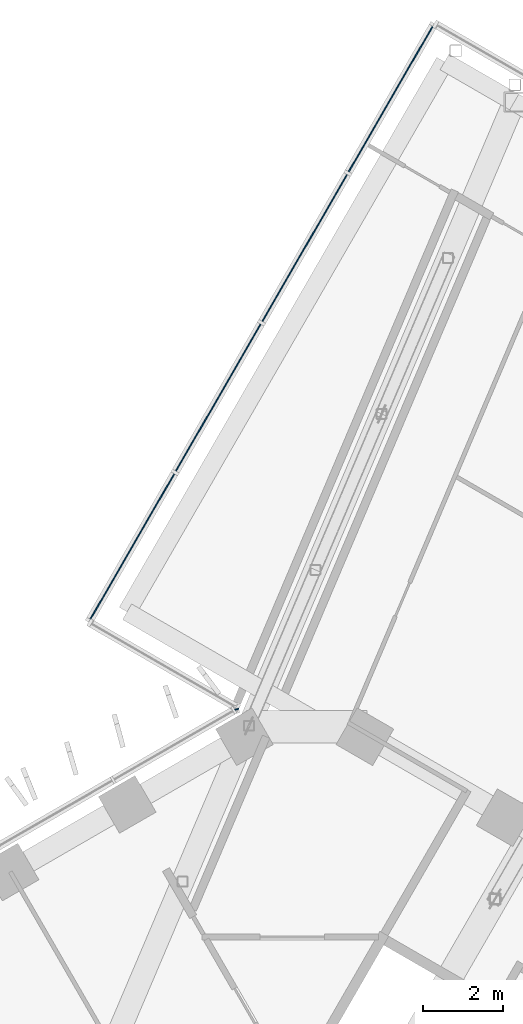
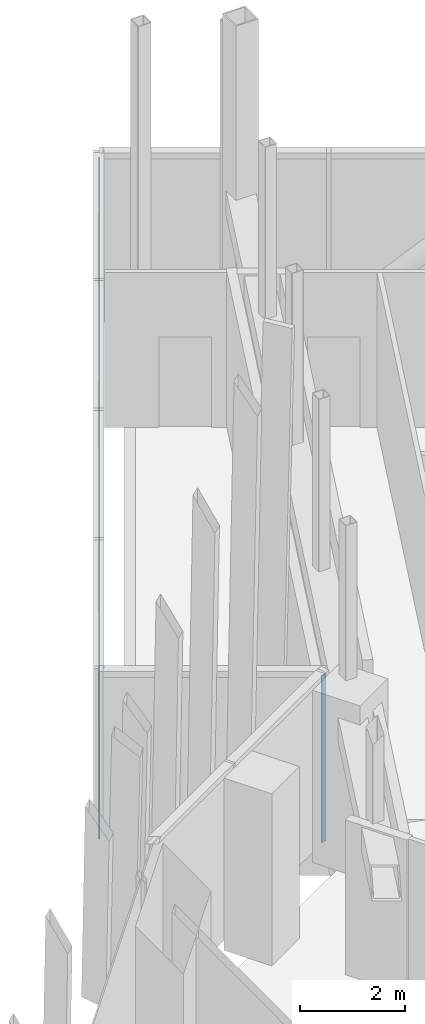
# One storey, part 18 of 31: 5 plates, 2 elements without a shape of their own.
"""IFC4 building model written with IfcOpenShell, lengths in metres."""

from ifc_helpers import new_model, si_unit, direction, frame, origin, origin_2d, place, context, subcontext, project, spatial, rectangle, extrude, material, layer, layer_set, type_object, element, aggregate, save


model = new_model("IFC4")

# Units and contexts
model_context = context("Model", 3, precision=1e-05, world=origin(), true_north=direction((0.0, 1.0)))
body_context = subcontext(model_context, "Body", "Model", "MODEL_VIEW")
ifc_project = project(units=[si_unit("LENGTHUNIT", "METRE"), si_unit("AREAUNIT", "SQUARE_METRE"), si_unit("VOLUMEUNIT", "CUBIC_METRE"), si_unit("PLANEANGLEUNIT", "RADIAN"), si_unit("MASSUNIT", "GRAM", prefix="KILO")], contexts=[model_context])

# Site, building, storey
site_placement = place(None, origin())
site = spatial("IfcSite", under=ifc_project, at=site_placement, CompositionType="ELEMENT")
building_placement = place(site_placement, origin())
building = spatial("IfcBuilding", under=site, at=building_placement, Name="Ayvan Gate Tower", CompositionType="ELEMENT")
storey_placement = place(building_placement, frame((0.0, 0.0, 135.89990234375)))
storey = spatial("IfcBuildingStorey", under=building, at=storey_placement, Name="L36", CompositionType="ELEMENT", Elevation=135.89990234375)

# Curtain wall, plates
ifc_material_1 = material(Name="Bronze anodised aluminium", Category="aluminium")
ifc_layer_1 = layer(ifc_material_1, 0.199951171875)
ifc_layer_set_1 = layer_set([ifc_layer_1], Name="Bronze anodised aluminium")
curtain_wall_type_1 = type_object("IfcCurtainWallType", Name="Stick curtain wall CW-4", PredefinedType="NOTDEFINED", material=ifc_layer_set_1)
curtain_wall_1_placement = place(storey_placement, origin())
curtain_wall_1 = element("IfcCurtainWall", 1, at=curtain_wall_1_placement, inside=storey, type_object=curtain_wall_type_1, Name="Stick curtain wall CW-4 L36", PredefinedType="NOTDEFINED")
ifc_material_2 = material(Name="Pale anodised aluminium composite panel", Category="aluminium")
ifc_layer_2 = layer(ifc_material_2, 0.028076171875)
ifc_layer_set_2 = layer_set([ifc_layer_2], Name="Pale anodised aluminium composite panel")
plate_type_1 = type_object("IfcPlateType", Name="Stick curtain wall CW-4 solid panel", PredefinedType="CURTAIN_PANEL", material=ifc_layer_set_2)
plate_1_placement = place(storey_placement, frame((1.19482421875, 36.969482421875, 0.0), z_axis=(0.0, 0.0, 1.0), x_axis=(-0.5, -0.866025403784, 0.0)))
plate_1 = element("IfcPlate", 2, at=plate_1_placement, type_object=plate_type_1, Name="CW-4 solid panel 1", PredefinedType="CURTAIN_PANEL", context=body_context, shape_type="SweptSolid", body=[
    extrude(rectangle(XDim=4.219970703125, YDim=0.028076171875, at=origin_2d()), origin(), (0.0, 0.0, 1.0), 3.860107421875),
])
plate_2_placement = place(storey_placement, frame((-0.955078125, 33.24560546875, 0.0), z_axis=(0.0, 0.0, 1.0), x_axis=(-0.5, -0.866025403784, 0.0)))
plate_2 = element("IfcPlate", 3, at=plate_2_placement, type_object=plate_type_1, Name="CW-4 solid panel 2", PredefinedType="CURTAIN_PANEL", context=body_context, shape_type="SweptSolid", body=[
    extrude(rectangle(XDim=4.219970703125, YDim=0.028076171875, at=origin_2d()), origin(), (0.0, 0.0, 1.0), 3.860107421875),
])
plate_3_placement = place(storey_placement, frame((-3.105224609375, 29.521728515625, 0.0), z_axis=(0.0, 0.0, 1.0), x_axis=(-0.5, -0.866025403784, 0.0)))
plate_3 = element("IfcPlate", 4, at=plate_3_placement, type_object=plate_type_1, Name="CW-4 solid panel 3", PredefinedType="CURTAIN_PANEL", context=body_context, shape_type="SweptSolid", body=[
    extrude(rectangle(XDim=4.219970703125, YDim=0.028076171875, at=origin_2d()), origin(), (0.0, 0.0, 1.0), 3.860107421875),
])
plate_4_placement = place(storey_placement, frame((-5.255126953125, 25.7978515625, 0.0), z_axis=(0.0, 0.0, 1.0), x_axis=(-0.5, -0.866025403784, 0.0)))
plate_4 = element("IfcPlate", 5, at=plate_4_placement, type_object=plate_type_1, Name="CW-4 solid panel 4", PredefinedType="CURTAIN_PANEL", context=body_context, shape_type="SweptSolid", body=[
    extrude(rectangle(XDim=4.219970703125, YDim=0.028076171875, at=origin_2d()), origin(), (0.0, 0.0, 1.0), 3.860107421875),
])
aggregate(curtain_wall_1, [plate_1, plate_2, plate_3, plate_4])

# Curtain wall, plate
ifc_layer_3 = layer(ifc_material_1, 0.199951171875)
ifc_layer_set_3 = layer_set([ifc_layer_3], Name="Bronze anodised aluminium")
curtain_wall_type_2 = type_object("IfcCurtainWallType", Name="Stick curtain wall CW-6", PredefinedType="NOTDEFINED", material=ifc_layer_set_3)
curtain_wall_2_placement = place(storey_placement, origin())
curtain_wall_2 = element("IfcCurtainWall", 6, at=curtain_wall_2_placement, inside=storey, type_object=curtain_wall_type_2, Name="Stick curtain wall CW-6 L36", PredefinedType="NOTDEFINED")
ifc_material_3 = material(Name="Clear low-iron laminated glass", Category="glass")
ifc_layer_4 = layer(ifc_material_3, 0.028076171875)
ifc_layer_set_4 = layer_set([ifc_layer_4], Name="Clear low-iron laminated glass")
plate_type_2 = type_object("IfcPlateType", Name="Stick curtain wall CW-6 glass panel", PredefinedType="CURTAIN_PANEL", material=ifc_layer_set_4)
plate_5_placement = place(storey_placement, frame((-2.643798828125, 21.76708984375, 0.000244140625), z_axis=(0.0, 0.0, 1.0), x_axis=(-0.965925826289, -0.258819045103, 0.0)))
plate_5 = element("IfcPlate", 7, at=plate_5_placement, type_object=plate_type_2, Name="CW-6 glass panel 1", PredefinedType="CURTAIN_PANEL", context=body_context, shape_type="SweptSolid", body=[
    extrude(rectangle(XDim=0.099365234375, YDim=0.028076171875, at=origin_2d()), origin(), (0.0, 0.0, 1.0), 3.8798828125),
])
aggregate(curtain_wall_2, [plate_5])

save(model, "model.ifc")
